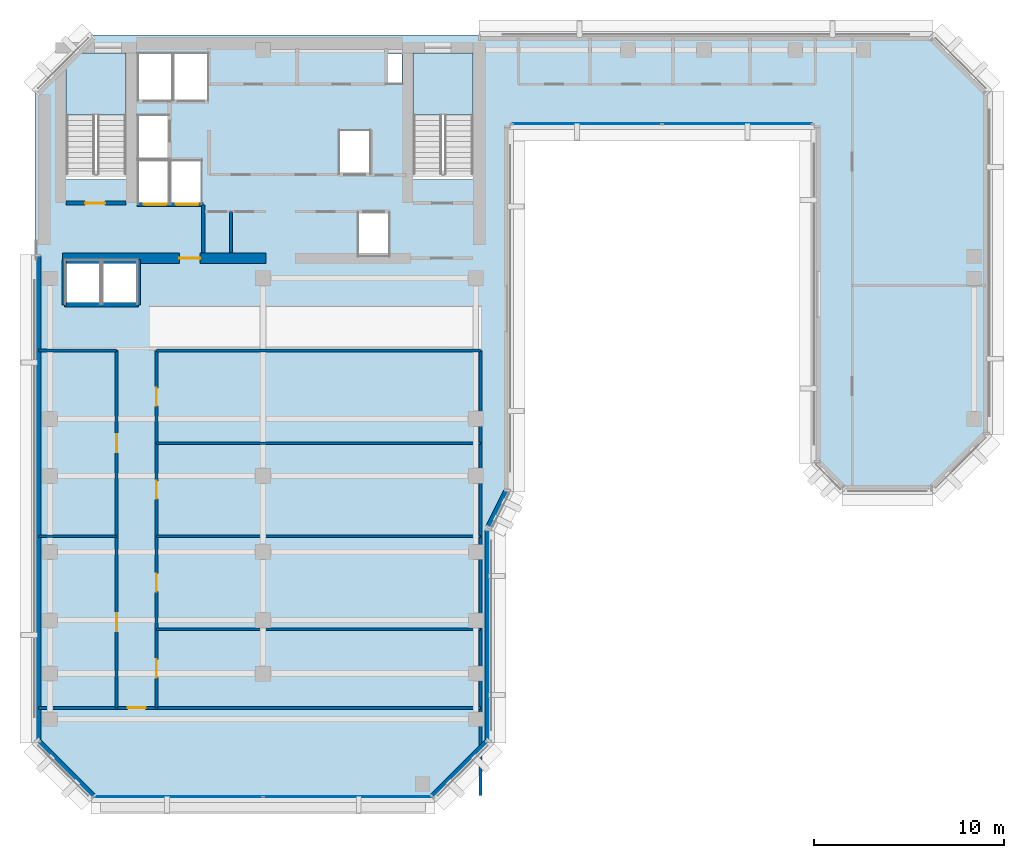
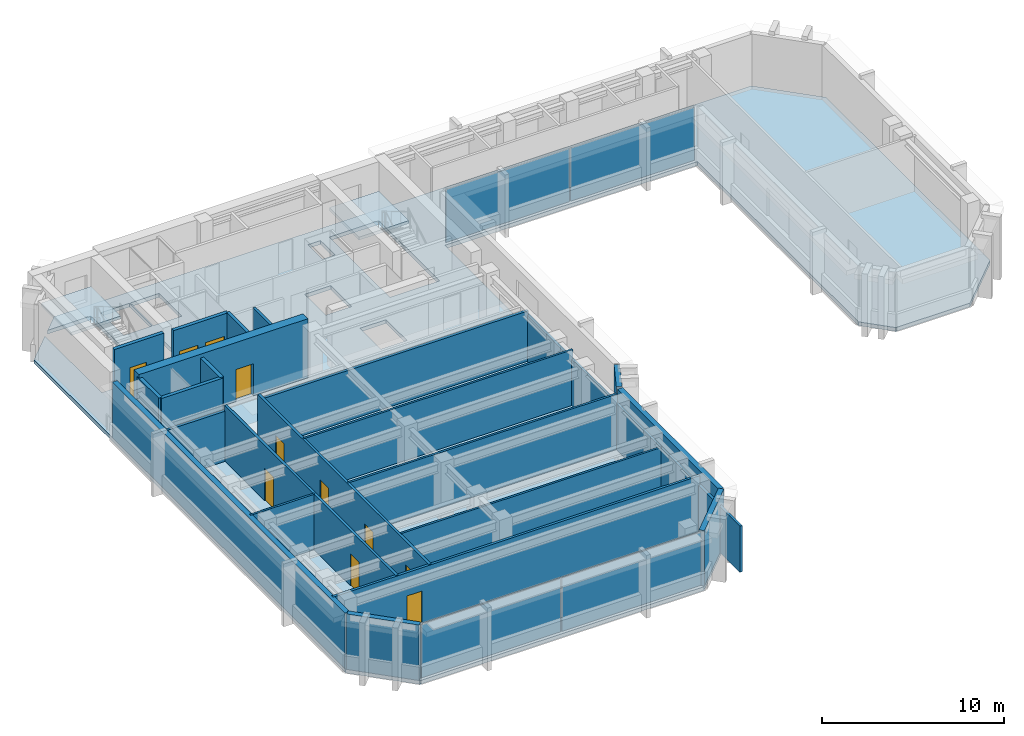
# One storey, part 5 of 11: 23 walls, 11 doors, 4 plates, 3 slabs, 11 openings, 4 elements without a shape of their own.
"""IFC4 building model written with IfcOpenShell, lengths in metres."""

from ifc_helpers import new_model, si_unit, direction, frame, frame_2d, origin, origin_2d, place, context, subcontext, project, spatial, polyline, rectangle, outline, extrude, material, layer, layer_set, type_object, element, fill, aggregate, save


model = new_model("IFC4")

# Units and contexts
model_context = context("Model", 3, precision=1e-05, world=origin(), true_north=direction((0.0, 1.0)))
body_context = subcontext(model_context, "Body", "Model", "MODEL_VIEW")
ifc_project = project(units=[si_unit("LENGTHUNIT", "METRE"), si_unit("AREAUNIT", "SQUARE_METRE"), si_unit("VOLUMEUNIT", "CUBIC_METRE"), si_unit("PLANEANGLEUNIT", "RADIAN"), si_unit("MASSUNIT", "GRAM", prefix="KILO")], contexts=[model_context])

# Site, building, storey
site_placement = place(None, origin())
site = spatial("IfcSite", under=ifc_project, at=site_placement, CompositionType="ELEMENT")
building_placement = place(site_placement, origin())
building = spatial("IfcBuilding", under=site, at=building_placement, Name="Kefirva Bronze Tower", CompositionType="ELEMENT")
storey_placement = place(building_placement, frame((0.0, 0.0, 231.659912109375)))
storey = spatial("IfcBuildingStorey", under=building, at=storey_placement, Name="L56", CompositionType="ELEMENT", Elevation=231.659912109375)

# Stair, slab
ifc_material_1 = material(Name="Concrete C40/50", Category="concrete")
stair_type = type_object("IfcStairType", Name="RC Dogleg Protected Stair 24R", PredefinedType="HALF_TURN_STAIR", material=ifc_material_1)
stair_1_placement = place(storey_placement, origin())
stair_1 = element("IfcStair", 1, at=stair_1_placement, inside=storey, type_object=stair_type, Name="L56 Protected Exit Stair 1", PredefinedType="HALF_TURN_STAIR")
ifc_layer_1 = layer(ifc_material_1, 0.199951171875, Name="Concrete C40/50")
ifc_layer_set_1 = layer_set([ifc_layer_1], Name="Concrete C40/50")
slab_type_1 = type_object("IfcSlabType", Name="RC Stair Landing Slab 200mm", PredefinedType="LANDING", material=ifc_layer_set_1)
slab_1_placement = place(storey_placement, frame((0.0, 0.0, 1.780029296875)))
slab_1 = element("IfcSlab", 2, at=slab_1_placement, type_object=slab_type_1, Name="ST-1 landing 1", PredefinedType="LANDING", context=body_context, shape_type="SweptSolid", body=[
    extrude(outline(polyline([(4.800048828125, 41.780029296875), (4.800048828125, 45.050048828125), (1.64990234375, 45.050048828125), (1.64990234375, 41.780029296875), (4.800048828125, 41.780029296875)])), origin(), (0.0, 0.0, 1.0), 0.199951171875),
])
aggregate(stair_1, [slab_1])

stair_2_placement = place(storey_placement, origin())
stair_2 = element("IfcStair", 3, at=stair_2_placement, inside=storey, type_object=stair_type, Name="L56 Protected Exit Stair 2", PredefinedType="HALF_TURN_STAIR")
slab_2_placement = place(storey_placement, frame((0.0, 0.0, 1.780029296875)))
slab_2 = element("IfcSlab", 4, at=slab_2_placement, type_object=slab_type_1, Name="ST-2 landing 1", PredefinedType="LANDING", context=body_context, shape_type="SweptSolid", body=[
    extrude(outline(polyline([(23.050048828125, 41.780029296875), (23.050048828125, 45.050048828125), (19.89990234375, 45.050048828125), (19.89990234375, 41.780029296875), (23.050048828125, 41.780029296875)])), origin(), (0.0, 0.0, 1.0), 0.199951171875),
])
aggregate(stair_2, [slab_2])

# Slab
ifc_layer_2 = layer(ifc_material_1, 0.25, Name="Concrete C40/50")
ifc_layer_set_2 = layer_set([ifc_layer_2], Name="Concrete C40/50")
slab_type_2 = type_object("IfcSlabType", Name="RC Tower Floor Slab 250mm", PredefinedType="FLOOR", material=ifc_layer_set_2)
slab_3_placement = place(storey_placement, frame((0.0, 0.0, -0.25)))
element("IfcSlab", 5, at=slab_3_placement, inside=storey, type_object=slab_type_2, Name="L56 Structural Floor Slab", PredefinedType="FLOOR", context=body_context, shape_type="SweptSolid", body=[
    extrude(outline(polyline([(0.0, 8.800048828125), (0.0, 43.0), (1.64990234375, 44.64990234375), (1.64990234375, 38.39990234375), (4.800048828125, 38.39990234375), (4.800048828125, 45.050048828125), (2.050048828125, 45.050048828125), (3.0, 46.0), (47.199951171875, 46.0), (50.199951171875, 43.0), (50.199951171875, 25.0), (47.199951171875, 22.0), (42.5, 22.0), (41.0, 23.5), (41.0, 41.199951171875), (25.0, 41.199951171875), (25.0, 22.0), (24.0, 20.0), (24.0, 8.800048828125), (21.0, 5.800048828125), (3.0, 5.800048828125), (0.0, 8.800048828125)]), holes=[polyline([(23.050048828125, 45.050048828125), (19.89990234375, 45.050048828125), (19.89990234375, 38.39990234375), (23.050048828125, 38.39990234375), (23.050048828125, 45.050048828125)]), polyline([(19.320068359375, 43.419921875), (19.320068359375, 45.0), (18.52001953125, 45.0), (18.52001953125, 43.419921875), (19.320068359375, 43.419921875)]), polyline([(18.64990234375, 36.64990234375), (17.0, 36.64990234375), (17.0, 34.35009765625), (18.64990234375, 34.35009765625), (18.64990234375, 36.64990234375)]), polyline([(17.64990234375, 38.679931640625), (17.64990234375, 40.97998046875), (16.0, 40.97998046875), (16.0, 38.679931640625), (17.64990234375, 38.679931640625)]), polyline([(9.1201171875, 42.550048828125), (9.1201171875, 45.050048828125), (7.300048828125, 45.050048828125), (7.300048828125, 42.550048828125), (9.1201171875, 42.550048828125)]), polyline([(8.780029296875, 37.10009765625), (8.780029296875, 39.39990234375), (7.139892578125, 39.39990234375), (7.139892578125, 37.10009765625), (8.780029296875, 37.10009765625)]), polyline([(7.239990234375, 42.550048828125), (7.239990234375, 45.050048828125), (5.419921875, 45.050048828125), (5.419921875, 42.550048828125), (7.239990234375, 42.550048828125)]), polyline([(7.06005859375, 37.10009765625), (7.06005859375, 39.39990234375), (5.419921875, 39.39990234375), (5.419921875, 37.10009765625), (7.06005859375, 37.10009765625)]), polyline([(7.06005859375, 41.780029296875), (5.419921875, 41.780029296875), (5.419921875, 39.47998046875), (7.06005859375, 39.47998046875), (7.06005859375, 41.780029296875)]), polyline([(5.39990234375, 31.85009765625), (5.39990234375, 34.14990234375), (3.550048828125, 34.14990234375), (3.550048828125, 31.85009765625), (5.39990234375, 31.85009765625)]), polyline([(3.449951171875, 34.14990234375), (1.60009765625, 34.14990234375), (1.60009765625, 31.85009765625), (3.449951171875, 31.85009765625), (3.449951171875, 34.14990234375)])]), origin(), (0.0, 0.0, 1.0), 0.25),
])

# Curtain wall, plates
ifc_material_2 = material(Name="Bronze anodised aluminium", Category="aluminium")
ifc_layer_3 = layer(ifc_material_2, 0.179931640625, Name="Bronze anodised aluminium")
ifc_layer_set_3 = layer_set([ifc_layer_3], Name="Bronze anodised aluminium")
curtain_wall_type = type_object("IfcCurtainWallType", Name="Unitised Bronze Ribbon Curtain Wall Zone 3", PredefinedType="USERDEFINED", material=ifc_layer_set_3)
curtain_wall_1_placement = place(storey_placement, origin())
curtain_wall_1 = element("IfcCurtainWall", 6, at=curtain_wall_1_placement, inside=storey, type_object=curtain_wall_type, Name="L56 Curtain Wall 1", ObjectType="UNITISED CURTAIN WALL", PredefinedType="USERDEFINED")
ifc_material_3 = material(Name="Laminated low-E double glazing", Category="glass")
ifc_layer_4 = layer(ifc_material_3, 0.031982421875, Name="Laminated low-E double glazing")
ifc_layer_set_4 = layer_set([ifc_layer_4], Name="Laminated low-E double glazing")
plate_type = type_object("IfcPlateType", Name="Solar-Control Low-E Vision Panel 32mm", PredefinedType="CURTAIN_PANEL", material=ifc_layer_set_4)
plate_1_placement = place(storey_placement, frame((7.546142578125, 5.919921875, 0.074951171875), z_axis=(0.0, 0.0, 1.0), x_axis=(1.0, 0.0, 0.0)))
plate_1 = element("IfcPlate", 7, at=plate_1_placement, type_object=plate_type, Name="CW-03 panel 1.1", PredefinedType="CURTAIN_PANEL", context=body_context, shape_type="SweptSolid", body=[
    extrude(rectangle(XDim=8.83251953125, YDim=0.031982421875, at=origin_2d()), origin(), (0.0, 0.0, 1.0), 3.56005859375),
])
plate_2_placement = place(storey_placement, frame((16.453857421875, 5.919921875, 0.074951171875), z_axis=(0.0, 0.0, 1.0), x_axis=(1.0, 0.0, 0.0)))
plate_2 = element("IfcPlate", 8, at=plate_2_placement, type_object=plate_type, Name="CW-03 panel 2.1", PredefinedType="CURTAIN_PANEL", context=body_context, shape_type="SweptSolid", body=[
    extrude(rectangle(XDim=8.83251953125, YDim=0.031982421875, at=origin_2d()), origin(), (0.0, 0.0, 1.0), 3.56005859375),
])
aggregate(curtain_wall_1, [plate_1, plate_2])

curtain_wall_2_placement = place(storey_placement, origin())
curtain_wall_2 = element("IfcCurtainWall", 9, at=curtain_wall_2_placement, inside=storey, type_object=curtain_wall_type, Name="L56 Curtain Wall 2", ObjectType="UNITISED CURTAIN WALL", PredefinedType="USERDEFINED")
plate_3_placement = place(storey_placement, frame((29.046142578125, 41.320068359375, 0.074951171875), z_axis=(0.0, 0.0, 1.0), x_axis=(1.0, 0.0, 0.0)))
plate_3 = element("IfcPlate", 10, at=plate_3_placement, type_object=plate_type, Name="CW-03 panel 1.1", PredefinedType="CURTAIN_PANEL", context=body_context, shape_type="SweptSolid", body=[
    extrude(rectangle(XDim=7.83251953125, YDim=0.031982421875, at=origin_2d()), origin(), (0.0, 0.0, 1.0), 3.56005859375),
])
plate_4_placement = place(storey_placement, frame((36.953857421875, 41.320068359375, 0.074951171875), z_axis=(0.0, 0.0, 1.0), x_axis=(1.0, 0.0, 0.0)))
plate_4 = element("IfcPlate", 11, at=plate_4_placement, type_object=plate_type, Name="CW-03 panel 2.1", PredefinedType="CURTAIN_PANEL", context=body_context, shape_type="SweptSolid", body=[
    extrude(rectangle(XDim=7.83251953125, YDim=0.031982421875, at=origin_2d()), origin(), (0.0, 0.0, 1.0), 3.56005859375),
])
aggregate(curtain_wall_2, [plate_3, plate_4])

# Walls
ifc_material_4 = material(Name="Gypsum acoustic partition")
ifc_layer_5 = layer(ifc_material_4, 0.1298828125, Name="Gypsum acoustic partition")
ifc_layer_set_5 = layer_set([ifc_layer_5], Name="Gypsum acoustic partition")
wall_type_1 = type_object("IfcWallType", Name="Acoustic Office Partition 130mm", PredefinedType="PARTITIONING", material=ifc_layer_set_5)
wall_1_placement = place(storey_placement, frame((0.18994140625, 19.6240234375, 0.0), z_axis=(0.0, 0.0, 1.0), x_axis=(1.0, 0.0, 0.0)))
element("IfcWall", 12, at=wall_1_placement, inside=storey, type_object=wall_type_1, Name="L56 Partition W-L56-SWD1", PredefinedType="PARTITIONING", context=body_context, shape_type="SweptSolid", body=[
    extrude(rectangle(XDim=4.110107421875, YDim=0.1298828125, at=frame_2d((2.05517578125, 0.0))), origin(), (0.0, 0.0, 1.0), 3.710205078125),
])
wall_2_placement = place(storey_placement, frame((6.39990234375, 14.736083984375, 0.0), z_axis=(0.0, 0.0, 1.0), x_axis=(1.0, 0.0, 0.0)))
element("IfcWall", 13, at=wall_2_placement, inside=storey, type_object=wall_type_1, Name="L56 Partition W-L56-SED1", PredefinedType="PARTITIONING", context=body_context, shape_type="SweptSolid", body=[
    extrude(rectangle(XDim=17.050048828125, YDim=0.1298828125, at=frame_2d((8.52490234375, 0.0))), origin(), (0.0, 0.0, 1.0), 3.094970703125),
])
for number, where, z_axis, x_axis, name in (
    (14, (6.39990234375, 19.6240234375, 0.0), (0.0, 0.0, 1.0), (1.0, 0.0, 0.0), "L56 Partition W-L56-SED2"),
    (15, (6.39990234375, 24.511962890625, 0.0), (0.0, 0.0, 1.0), (1.0, 0.0, 0.0), "L56 Partition W-L56-SED3"),
):
    element("IfcWall", number, at=place(storey_placement, frame(where, z_axis=z_axis, x_axis=x_axis)), inside=storey, type_object=wall_type_1, Name=name, PredefinedType="PARTITIONING", context=body_context, shape_type="SweptSolid", body=[
        extrude(rectangle(XDim=17.050048828125, YDim=0.1298828125, at=frame_2d((8.52490234375, 0.0))), origin(), (0.0, 0.0, 1.0), 3.710205078125),
    ])

# Wall, opening, door
ifc_material_5 = material(Name="Gypsum fireboard shaftwall")
ifc_layer_6 = layer(ifc_material_5, 0.219970703125, Name="Gypsum fireboard shaftwall")
ifc_layer_set_6 = layer_set([ifc_layer_6], Name="Gypsum fireboard shaftwall")
wall_type_2 = type_object("IfcWallType", Name="Fire-Rated Shaft Enclosure Wall 220mm", PredefinedType="PARTITIONING", material=ifc_layer_set_6)
wall_3_placement = place(storey_placement, frame((1.64990234375, 37.14990234375, 0.0), z_axis=(0.0, 0.0, 1.0), x_axis=(1.0, 0.0, 0.0)))
wall_3 = element("IfcWall", 16, at=wall_3_placement, inside=storey, type_object=wall_type_2, Name="L56 Partition W-L56-ST1S", PredefinedType="PARTITIONING", context=body_context, shape_type="SweptSolid", body=[
    extrude(rectangle(XDim=3.150146484375, YDim=0.219970703125, at=frame_2d((1.5751953125, 0.0))), origin(), (0.0, 0.0, 1.0), 3.710205078125),
])
opening_1_placement = place(wall_3_placement, frame((2.050048828125, 0.0, 0.0), z_axis=(0.0, 0.0, 1.0), x_axis=(-1.0, 0.0, 0.0)))
opening_1 = element("IfcOpeningElement", 17, at=opening_1_placement, cuts=wall_3, Name="Opening L56-D001", PredefinedType="OPENING", context=body_context, shape_type="SweptSolid", body=[
    extrude(rectangle(XDim=1.050048828125, YDim=2.14990234375, at=frame_2d((0.52490234375, 1.074951171875))), frame((0.0, 0.1201171875, 0.0), z_axis=(0.0, -1.0, 0.0), x_axis=(1.0, 0.0, 0.0)), (0.0, 0.0, 1.0), 0.239990234375),
])
ifc_material_6 = material(Name="Painted galvanized steel", Category="steel")
door_type_1 = type_object("IfcDoorType", Name="Fire Stair Enclosure Door 1050x2150 FD90S", OperationType="NOTDEFINED", PredefinedType="DOOR", material=ifc_material_6)
door_1_placement = place(opening_1_placement, origin())
door_1 = element("IfcDoor", 18, at=door_1_placement, inside=storey, type_object=door_type_1, Name="Door L56-D001", OperationType="SINGLE_SWING_RIGHT", OverallHeight=2.14990234375, OverallWidth=1.050048828125, PredefinedType="DOOR", context=body_context, shape_type="SweptSolid", body=[
    extrude(rectangle(XDim=1.050048828125, YDim=2.14990234375, at=frame_2d((0.52490234375, 1.074951171875))), frame((0.0, 0.02490234375, 0.0), z_axis=(0.0, -1.0, 0.0), x_axis=(1.0, 0.0, 0.0)), (0.0, 0.0, 1.0), 0.050048828125),
])
fill(opening_1, door_1)

# Wall, openings, doors
wall_4_placement = place(storey_placement, frame((5.3798828125, 37.080078125, 0.0), z_axis=(0.0, 0.0, 1.0), x_axis=(1.0, 0.0, 0.0)))
wall_4 = element("IfcWall", 19, at=wall_4_placement, inside=storey, type_object=wall_type_2, Name="L56 Partition W-L56-FFS", PredefinedType="PARTITIONING", context=body_context, shape_type="SweptSolid", body=[
    extrude(rectangle(XDim=3.460205078125, YDim=0.219970703125, at=frame_2d((1.72998046875, 0.0))), origin(), (0.0, 0.0, 1.0), 3.710205078125),
])
opening_2_placement = place(wall_4_placement, frame((1.550048828125, 0.0, 0.0), z_axis=(0.0, 0.0, 1.0), x_axis=(-1.0, 0.0, 0.0)))
opening_2 = element("IfcOpeningElement", 20, at=opening_2_placement, cuts=wall_4, Name="Opening L56-LD-FF1", PredefinedType="OPENING", context=body_context, shape_type="SweptSolid", body=[
    extrude(rectangle(XDim=1.199951171875, YDim=2.199951171875, at=frame_2d((0.60009765625, 1.10009765625))), frame((0.0, 0.1201171875, 0.0), z_axis=(0.0, -1.0, 0.0), x_axis=(1.0, 0.0, 0.0)), (0.0, 0.0, 1.0), 0.239990234375),
])
opening_3_placement = place(wall_4_placement, frame((3.219970703125, 0.0, 0.0), z_axis=(0.0, 0.0, 1.0), x_axis=(-1.0, 0.0, 0.0)))
opening_3 = element("IfcOpeningElement", 21, at=opening_3_placement, cuts=wall_4, Name="Opening L56-LD-FF2", PredefinedType="OPENING", context=body_context, shape_type="SweptSolid", body=[
    extrude(rectangle(XDim=1.199951171875, YDim=2.199951171875, at=frame_2d((0.60009765625, 1.10009765625))), frame((0.0, 0.1201171875, 0.0), z_axis=(0.0, -1.0, 0.0), x_axis=(1.0, 0.0, 0.0)), (0.0, 0.0, 1.0), 0.239990234375),
])
ifc_material_7 = material(Name="Stainless steel 316", Category="steel")
door_type_2 = type_object("IfcDoorType", Name="Firefighting Lift Sliding Door 1200x2200", OperationType="SLIDING_TO_RIGHT", PredefinedType="DOOR", material=ifc_material_7)
door_2_placement = place(opening_2_placement, origin())
door_2 = element("IfcDoor", 22, at=door_2_placement, inside=storey, type_object=door_type_2, Name="Door L56-LD-FF1", OperationType="SLIDING_TO_RIGHT", OverallHeight=2.199951171875, OverallWidth=1.199951171875, PredefinedType="DOOR", context=body_context, shape_type="SweptSolid", body=[
    extrude(rectangle(XDim=1.199951171875, YDim=2.199951171875, at=frame_2d((0.60009765625, 1.10009765625))), frame((0.0, 0.02490234375, 0.0), z_axis=(0.0, -1.0, 0.0), x_axis=(1.0, 0.0, 0.0)), (0.0, 0.0, 1.0), 0.050048828125),
])
fill(opening_2, door_2)
door_3_placement = place(opening_3_placement, origin())
door_3 = element("IfcDoor", 23, at=door_3_placement, inside=storey, type_object=door_type_2, Name="Door L56-LD-FF2", OperationType="SLIDING_TO_RIGHT", OverallHeight=2.199951171875, OverallWidth=1.199951171875, PredefinedType="DOOR", context=body_context, shape_type="SweptSolid", body=[
    extrude(rectangle(XDim=1.199951171875, YDim=2.199951171875, at=frame_2d((0.60009765625, 1.10009765625))), frame((0.0, 0.02490234375, 0.0), z_axis=(0.0, -1.0, 0.0), x_axis=(1.0, 0.0, 0.0)), (0.0, 0.0, 1.0), 0.050048828125),
])
fill(opening_3, door_3)

# Walls
wall_5_placement = place(storey_placement, frame((1.550048828125, 31.800048828125, 0.0), z_axis=(0.0, 0.0, 1.0), x_axis=(1.0, 0.0, 0.0)))
element("IfcWall", 24, at=wall_5_placement, inside=storey, type_object=wall_type_2, Name="L56 Partition W-L56-OBS", PredefinedType="PARTITIONING", context=body_context, shape_type="SweptSolid", body=[
    extrude(rectangle(XDim=3.89990234375, YDim=0.219970703125, at=frame_2d((1.949951171875, 0.0))), origin(), (0.0, 0.0, 1.0), 3.710205078125),
])
for number, where, z_axis, x_axis, name in (
    (25, (1.550048828125, 31.800048828125, 0.0), (0.0, 0.0, 1.0), (0.0, 1.0, 0.0), "L56 Partition W-L56-OBW"),
    (26, (5.449951171875, 31.800048828125, 0.0), (0.0, 0.0, 1.0), (0.0, 1.0, 0.0), "L56 Partition W-L56-OBE"),
):
    element("IfcWall", number, at=place(storey_placement, frame(where, z_axis=z_axis, x_axis=x_axis)), inside=storey, type_object=wall_type_2, Name=name, PredefinedType="PARTITIONING", context=body_context, shape_type="SweptSolid", body=[
        extrude(rectangle(XDim=2.3798828125, YDim=0.219970703125, at=frame_2d((1.18994140625, 0.0))), origin(), (0.0, 0.0, 1.0), 3.710205078125),
    ])
ifc_material_8 = material(Name="Gypsum fireboard barrier")
ifc_layer_7 = layer(ifc_material_8, 0.199951171875, Name="Gypsum fireboard barrier")
ifc_layer_set_7 = layer_set([ifc_layer_7], Name="Gypsum fireboard barrier")
wall_type_3 = type_object("IfcWallType", Name="Firefighting Lobby Barrier Wall 200mm", PredefinedType="PARTITIONING", material=ifc_layer_set_7)
wall_6_placement = place(storey_placement, frame((8.860107421875, 34.550048828125, 0.0), z_axis=(0.0, 0.0, 1.0), x_axis=(0.0, 1.0, 0.0)))
element("IfcWall", 27, at=wall_6_placement, inside=storey, type_object=wall_type_3, Name="L56 Partition W-L56-FFLE", PredefinedType="PARTITIONING", context=body_context, shape_type="SweptSolid", body=[
    extrude(rectangle(XDim=2.5, YDim=0.199951171875, at=frame_2d((1.25, 0.0))), origin(), (0.0, 0.0, 1.0), 3.710205078125),
])
ifc_material_9 = material(Name="Precast concrete C40/50", Category="concrete")
ifc_layer_8 = layer(ifc_material_9, 0.320068359375, Name="Precast concrete C40/50")
ifc_layer_set_8 = layer_set([ifc_layer_8], Name="Precast concrete C40/50")
wall_type_4 = type_object("IfcWallType", Name="Precast Insulated Exterior Wall 320mm", PredefinedType="SOLIDWALL", material=ifc_layer_set_8)
wall_7_placement = place(storey_placement, frame((20.92578125, 5.951904296875, 0.0), z_axis=(0.0, 0.0, 1.0), x_axis=(0.707077242712, 0.707136318428, 0.0)))
element("IfcWall", 28, at=wall_7_placement, inside=storey, type_object=wall_type_4, Name="L56 Exterior Facade Wall 1", PredefinedType="SOLIDWALL", context=body_context, shape_type="SweptSolid", body=[
    extrude(rectangle(XDim=4.132568359375, YDim=0.320068359375, at=frame_2d((2.06640625, 0.0))), origin(), (0.0, 0.0, 1.0), 3.710205078125),
])
wall_8_placement = place(storey_placement, frame((23.840087890625, 8.85498046875, 0.0), z_axis=(0.0, 0.0, 1.0), x_axis=(0.0, 1.0, 0.0)))
element("IfcWall", 29, at=wall_8_placement, inside=storey, type_object=wall_type_4, Name="L56 Exterior Facade Wall 2", PredefinedType="SOLIDWALL", context=body_context, shape_type="SweptSolid", body=[
    extrude(rectangle(XDim=11.090087890625, YDim=0.320068359375, at=frame_2d((5.544921875, 0.0))), origin(), (0.0, 0.0, 1.0), 3.710205078125),
])
wall_9_placement = place(storey_placement, frame((23.881591796875, 20.12060546875, 0.0), z_axis=(0.0, 0.0, 1.0), x_axis=(0.447121734542, 0.894473115583, 0.0)))
element("IfcWall", 30, at=wall_9_placement, inside=storey, type_object=wall_type_4, Name="L56 Exterior Facade Wall 3", PredefinedType="SOLIDWALL", context=body_context, shape_type="SweptSolid", body=[
    extrude(rectangle(XDim=2.126220703125, YDim=0.320068359375, at=frame_2d((1.06298828125, 0.0))), origin(), (0.0, 0.0, 1.0), 3.710205078125),
])
wall_10_placement = place(storey_placement, frame((0.159912109375, 34.39501953125, 0.0), z_axis=(0.0, 0.0, 1.0), x_axis=(0.0, -1.0, 0.0)))
element("IfcWall", 31, at=wall_10_placement, inside=storey, type_object=wall_type_4, Name="L56 Exterior Facade Wall 13", PredefinedType="SOLIDWALL", context=body_context, shape_type="SweptSolid", body=[
    extrude(rectangle(XDim=25.5400390625, YDim=0.320068359375, at=frame_2d((12.77001953125, 0.0))), origin(), (0.0, 0.0, 1.0), 3.710205078125),
])
wall_11_placement = place(storey_placement, frame((0.152099609375, 8.874267578125, 0.0), z_axis=(0.0, 0.0, 1.0), x_axis=(0.707077242712, -0.707136318428, 0.0)))
element("IfcWall", 32, at=wall_11_placement, inside=storey, type_object=wall_type_4, Name="L56 Exterior Facade Wall 14", PredefinedType="SOLIDWALL", context=body_context, shape_type="SweptSolid", body=[
    extrude(rectangle(XDim=4.132568359375, YDim=0.320068359375, at=frame_2d((2.06640625, 0.0))), origin(), (0.0, 0.0, 1.0), 3.710205078125),
])
ifc_layer_9 = layer(ifc_material_4, 0.159912109375, Name="Gypsum acoustic partition")
ifc_layer_set_9 = layer_set([ifc_layer_9], Name="Gypsum acoustic partition")
wall_type_5 = type_object("IfcWallType", Name="Protected Corridor Partition 160mm", PredefinedType="PARTITIONING", material=ifc_layer_set_9)
wall_12_placement = place(storey_placement, frame((10.320068359375, 34.550048828125, 0.0), z_axis=(0.0, 0.0, 1.0), x_axis=(0.0, 1.0, 0.0)))
element("IfcWall", 33, at=wall_12_placement, inside=storey, type_object=wall_type_5, Name="L56 Partition W-L56-RECLP1D", PredefinedType="PARTITIONING", context=body_context, shape_type="SweptSolid", body=[
    extrude(rectangle(XDim=2.14990234375, YDim=0.159912109375, at=frame_2d((1.074951171875, 0.0))), origin(), (0.0, 0.0, 1.0), 3.710205078125),
])

# Wall, openings, doors
wall_13_placement = place(storey_placement, frame((4.300048828125, 10.60009765625, 0.0), z_axis=(0.0, 0.0, 1.0), x_axis=(0.0, 1.0, 0.0)))
wall_13 = element("IfcWall", 34, at=wall_13_placement, inside=storey, type_object=wall_type_5, Name="L56 Partition W-L56-SWCORW", PredefinedType="PARTITIONING", context=body_context, shape_type="SweptSolid", body=[
    extrude(rectangle(XDim=18.7998046875, YDim=0.159912109375, at=frame_2d((9.39990234375, 0.0))), origin(), (0.0, 0.0, 1.0), 3.710205078125),
])
opening_4_placement = place(wall_13_placement, frame((4.987060546875, 0.0, 0.0), z_axis=(0.0, 0.0, 1.0), x_axis=(-1.0, 0.0, 0.0)))
opening_4 = element("IfcOpeningElement", 35, at=opening_4_placement, cuts=wall_13, Name="Opening L56-D-SW1", PredefinedType="OPENING", context=body_context, shape_type="SweptSolid", body=[
    extrude(rectangle(XDim=0.949951171875, YDim=2.14990234375, at=frame_2d((0.47509765625, 1.074951171875))), frame((0.0, 0.08984375, 0.0), z_axis=(0.0, -1.0, 0.0), x_axis=(1.0, 0.0, 0.0)), (0.0, 0.0, 1.0), 0.179931640625),
])
opening_5_placement = place(wall_13_placement, frame((14.386962890625, 0.0, 0.0), z_axis=(0.0, 0.0, 1.0), x_axis=(-1.0, 0.0, 0.0)))
opening_5 = element("IfcOpeningElement", 36, at=opening_5_placement, cuts=wall_13, Name="Opening L56-D-SW2", PredefinedType="OPENING", context=body_context, shape_type="SweptSolid", body=[
    extrude(rectangle(XDim=0.949951171875, YDim=2.14990234375, at=frame_2d((0.47509765625, 1.074951171875))), frame((0.0, 0.08984375, 0.0), z_axis=(0.0, -1.0, 0.0), x_axis=(1.0, 0.0, 0.0)), (0.0, 0.0, 1.0), 0.179931640625),
])
ifc_material_10 = material(Name="Acoustic hardwood oak", Category="wood")
door_type_3 = type_object("IfcDoorType", Name="Office & Meeting Room Door 950x2150", OperationType="NOTDEFINED", PredefinedType="DOOR", material=ifc_material_10)
door_4_placement = place(opening_4_placement, origin())
door_4 = element("IfcDoor", 37, at=door_4_placement, inside=storey, type_object=door_type_3, Name="Door L56-D-SW1", OperationType="SINGLE_SWING_LEFT", OverallHeight=2.14990234375, OverallWidth=0.949951171875, PredefinedType="DOOR", context=body_context, shape_type="SweptSolid", body=[
    extrude(rectangle(XDim=0.949951171875, YDim=2.14990234375, at=frame_2d((0.47509765625, 1.074951171875))), frame((0.0, 0.02490234375, 0.0), z_axis=(0.0, -1.0, 0.0), x_axis=(1.0, 0.0, 0.0)), (0.0, 0.0, 1.0), 0.050048828125),
])
fill(opening_4, door_4)
door_5_placement = place(opening_5_placement, origin())
door_5 = element("IfcDoor", 38, at=door_5_placement, inside=storey, type_object=door_type_3, Name="Door L56-D-SW2", OperationType="SINGLE_SWING_RIGHT", OverallHeight=2.14990234375, OverallWidth=0.949951171875, PredefinedType="DOOR", context=body_context, shape_type="SweptSolid", body=[
    extrude(rectangle(XDim=0.949951171875, YDim=2.14990234375, at=frame_2d((0.47509765625, 1.074951171875))), frame((0.0, 0.02490234375, 0.0), z_axis=(0.0, -1.0, 0.0), x_axis=(1.0, 0.0, 0.0)), (0.0, 0.0, 1.0), 0.050048828125),
])
fill(opening_5, door_5)

wall_14_placement = place(storey_placement, frame((6.39990234375, 10.60009765625, 0.0), z_axis=(0.0, 0.0, 1.0), x_axis=(0.0, 1.0, 0.0)))
wall_14 = element("IfcWall", 39, at=wall_14_placement, inside=storey, type_object=wall_type_5, Name="L56 Partition W-L56-SECORE", PredefinedType="PARTITIONING", context=body_context, shape_type="SweptSolid", body=[
    extrude(rectangle(XDim=18.7998046875, YDim=0.159912109375, at=frame_2d((9.39990234375, 0.0))), origin(), (0.0, 0.0, 1.0), 3.710205078125),
])
opening_6_placement = place(wall_14_placement, frame((1.593017578125, 0.0, 0.0)))
opening_6 = element("IfcOpeningElement", 40, at=opening_6_placement, cuts=wall_14, Name="Opening L56-D-SE1", PredefinedType="OPENING", context=body_context, shape_type="SweptSolid", body=[
    extrude(rectangle(XDim=0.949951171875, YDim=2.14990234375, at=frame_2d((0.47509765625, 1.074951171875))), frame((0.0, 0.08984375, 0.0), z_axis=(0.0, -1.0, 0.0), x_axis=(1.0, 0.0, 0.0)), (0.0, 0.0, 1.0), 0.179931640625),
])
opening_7_placement = place(wall_14_placement, frame((6.10498046875, 0.0, 0.0)))
opening_7 = element("IfcOpeningElement", 41, at=opening_7_placement, cuts=wall_14, Name="Opening L56-D-SE2", PredefinedType="OPENING", context=body_context, shape_type="SweptSolid", body=[
    extrude(rectangle(XDim=0.949951171875, YDim=2.14990234375, at=frame_2d((0.47509765625, 1.074951171875))), frame((0.0, 0.08984375, 0.0), z_axis=(0.0, -1.0, 0.0), x_axis=(1.0, 0.0, 0.0)), (0.0, 0.0, 1.0), 0.179931640625),
])
opening_8_placement = place(wall_14_placement, frame((10.992919921875, 0.0, 0.0)))
opening_8 = element("IfcOpeningElement", 42, at=opening_8_placement, cuts=wall_14, Name="Opening L56-D-SE3", PredefinedType="OPENING", context=body_context, shape_type="SweptSolid", body=[
    extrude(rectangle(XDim=0.949951171875, YDim=2.14990234375, at=frame_2d((0.47509765625, 1.074951171875))), frame((0.0, 0.08984375, 0.0), z_axis=(0.0, -1.0, 0.0), x_axis=(1.0, 0.0, 0.0)), (0.0, 0.0, 1.0), 0.179931640625),
])
opening_9_placement = place(wall_14_placement, frame((15.881103515625, 0.0, 0.0)))
opening_9 = element("IfcOpeningElement", 43, at=opening_9_placement, cuts=wall_14, Name="Opening L56-D-SE4", PredefinedType="OPENING", context=body_context, shape_type="SweptSolid", body=[
    extrude(rectangle(XDim=0.949951171875, YDim=2.14990234375, at=frame_2d((0.47509765625, 1.074951171875))), frame((0.0, 0.08984375, 0.0), z_axis=(0.0, -1.0, 0.0), x_axis=(1.0, 0.0, 0.0)), (0.0, 0.0, 1.0), 0.179931640625),
])
door_6_placement = place(opening_6_placement, origin())
door_6 = element("IfcDoor", 44, at=door_6_placement, inside=storey, type_object=door_type_3, Name="Door L56-D-SE1", OperationType="SINGLE_SWING_LEFT", OverallHeight=2.14990234375, OverallWidth=0.949951171875, PredefinedType="DOOR", context=body_context, shape_type="SweptSolid", body=[
    extrude(rectangle(XDim=0.949951171875, YDim=2.14990234375, at=frame_2d((0.47509765625, 1.074951171875))), frame((0.0, 0.02490234375, 0.0), z_axis=(0.0, -1.0, 0.0), x_axis=(1.0, 0.0, 0.0)), (0.0, 0.0, 1.0), 0.050048828125),
])
fill(opening_6, door_6)
door_7_placement = place(opening_7_placement, origin())
door_7 = element("IfcDoor", 45, at=door_7_placement, inside=storey, type_object=door_type_3, Name="Door L56-D-SE2", OperationType="SINGLE_SWING_RIGHT", OverallHeight=2.14990234375, OverallWidth=0.949951171875, PredefinedType="DOOR", context=body_context, shape_type="SweptSolid", body=[
    extrude(rectangle(XDim=0.949951171875, YDim=2.14990234375, at=frame_2d((0.47509765625, 1.074951171875))), frame((0.0, 0.02490234375, 0.0), z_axis=(0.0, -1.0, 0.0), x_axis=(1.0, 0.0, 0.0)), (0.0, 0.0, 1.0), 0.050048828125),
])
fill(opening_7, door_7)
door_8_placement = place(opening_8_placement, origin())
door_8 = element("IfcDoor", 46, at=door_8_placement, inside=storey, type_object=door_type_3, Name="Door L56-D-SE3", OperationType="SINGLE_SWING_LEFT", OverallHeight=2.14990234375, OverallWidth=0.949951171875, PredefinedType="DOOR", context=body_context, shape_type="SweptSolid", body=[
    extrude(rectangle(XDim=0.949951171875, YDim=2.14990234375, at=frame_2d((0.47509765625, 1.074951171875))), frame((0.0, 0.02490234375, 0.0), z_axis=(0.0, -1.0, 0.0), x_axis=(1.0, 0.0, 0.0)), (0.0, 0.0, 1.0), 0.050048828125),
])
fill(opening_8, door_8)
door_9_placement = place(opening_9_placement, origin())
door_9 = element("IfcDoor", 47, at=door_9_placement, inside=storey, type_object=door_type_3, Name="Door L56-D-SE4", OperationType="SINGLE_SWING_RIGHT", OverallHeight=2.14990234375, OverallWidth=0.949951171875, PredefinedType="DOOR", context=body_context, shape_type="SweptSolid", body=[
    extrude(rectangle(XDim=0.949951171875, YDim=2.14990234375, at=frame_2d((0.47509765625, 1.074951171875))), frame((0.0, 0.02490234375, 0.0), z_axis=(0.0, -1.0, 0.0), x_axis=(1.0, 0.0, 0.0)), (0.0, 0.0, 1.0), 0.050048828125),
])
fill(opening_9, door_9)

# Wall, opening, door
wall_15_placement = place(storey_placement, frame((0.18994140625, 10.60009765625, 0.0), z_axis=(0.0, 0.0, 1.0), x_axis=(1.0, 0.0, 0.0)))
wall_15 = element("IfcWall", 48, at=wall_15_placement, inside=storey, type_object=wall_type_5, Name="L56 Partition W-L56-SBEND", PredefinedType="PARTITIONING", context=body_context, shape_type="SweptSolid", body=[
    extrude(rectangle(XDim=23.260009765625, YDim=0.159912109375, at=frame_2d((11.6298828125, 0.0))), origin(), (0.0, 0.0, 1.0), 3.710205078125),
])
opening_10_placement = place(wall_15_placement, frame((4.68994140625, 0.0, 0.0)))
opening_10 = element("IfcOpeningElement", 49, at=opening_10_placement, cuts=wall_15, Name="Opening L56-D-SEND1", PredefinedType="OPENING", context=body_context, shape_type="SweptSolid", body=[
    extrude(rectangle(XDim=0.949951171875, YDim=2.14990234375, at=frame_2d((0.47509765625, 1.074951171875))), frame((0.0, 0.08984375, 0.0), z_axis=(0.0, -1.0, 0.0), x_axis=(1.0, 0.0, 0.0)), (0.0, 0.0, 1.0), 0.179931640625),
])
door_10_placement = place(opening_10_placement, origin())
door_10 = element("IfcDoor", 50, at=door_10_placement, inside=storey, type_object=door_type_3, Name="Door L56-D-SEND1", OperationType="SINGLE_SWING_RIGHT", OverallHeight=2.14990234375, OverallWidth=0.949951171875, PredefinedType="DOOR", context=body_context, shape_type="SweptSolid", body=[
    extrude(rectangle(XDim=0.949951171875, YDim=2.14990234375, at=frame_2d((0.47509765625, 1.074951171875))), frame((0.0, 0.02490234375, 0.0), z_axis=(0.0, -1.0, 0.0), x_axis=(1.0, 0.0, 0.0)), (0.0, 0.0, 1.0), 0.050048828125),
])
fill(opening_10, door_10)

# Walls
wall_16_placement = place(storey_placement, frame((0.18994140625, 29.39990234375, 0.0), z_axis=(0.0, 0.0, 1.0), x_axis=(1.0, 0.0, 0.0)))
element("IfcWall", 51, at=wall_16_placement, inside=storey, type_object=wall_type_5, Name="L56 Partition W-L56-NWT", PredefinedType="PARTITIONING", context=body_context, shape_type="SweptSolid", body=[
    extrude(rectangle(XDim=4.110107421875, YDim=0.159912109375, at=frame_2d((2.05517578125, 0.0))), origin(), (0.0, 0.0, 1.0), 3.364990234375),
])
wall_17_placement = place(storey_placement, frame((6.39990234375, 29.39990234375, 0.0), z_axis=(0.0, 0.0, 1.0), x_axis=(1.0, 0.0, 0.0)))
element("IfcWall", 52, at=wall_17_placement, inside=storey, type_object=wall_type_5, Name="L56 Partition W-L56-NET", PredefinedType="PARTITIONING", context=body_context, shape_type="SweptSolid", body=[
    extrude(rectangle(XDim=17.050048828125, YDim=0.159912109375, at=frame_2d((8.52490234375, 0.0))), origin(), (0.0, 0.0, 1.0), 3.364990234375),
])
wall_18_placement = place(storey_placement, frame((23.449951171875, 5.989990234375, 0.0), z_axis=(0.0, 0.0, 1.0), x_axis=(0.0, 1.0, 0.0)))
element("IfcWall", 53, at=wall_18_placement, inside=storey, type_object=wall_type_5, Name="L56 Partition W-L56-SWEAST", PredefinedType="PARTITIONING", context=body_context, shape_type="SweptSolid", body=[
    extrude(rectangle(XDim=23.409912109375, YDim=0.159912109375, at=frame_2d((11.705078125, 0.0))), origin(), (0.0, 0.0, 1.0), 3.094970703125),
])

# Wall, opening, door
ifc_material_11 = material(Name="Concrete C50/60", Category="concrete")
ifc_layer_10 = layer(ifc_material_11, 0.64990234375, Name="Concrete C50/60")
ifc_layer_set_10 = layer_set([ifc_layer_10], Name="Concrete C50/60")
wall_type_6 = type_object("IfcWallType", Name="RC Rear Core Interior Wall 650mm", PredefinedType="SHEAR", material=ifc_layer_set_10)
wall_19_placement = place(storey_placement, frame((1.449951171875, 34.25, 0.0), z_axis=(0.0, 0.0, 1.0), x_axis=(1.0, 0.0, 0.0)))
wall_19 = element("IfcWall", 54, at=wall_19_placement, inside=storey, type_object=wall_type_6, Name="L56 Rear Core South-West Shear Wall", PredefinedType="SHEAR", context=body_context, shape_type="SweptSolid", body=[
    extrude(rectangle(XDim=10.7099609375, YDim=0.550048828125, at=frame_2d((5.35498046875, 0.0))), origin(), (0.0, 0.0, 1.0), 3.960205078125),
])
opening_11_placement = place(wall_19_placement, frame((7.25, 0.0, 0.0), z_axis=(0.0, 0.0, 1.0), x_axis=(-1.0, 0.0, 0.0)))
opening_11 = element("IfcOpeningElement", 55, at=opening_11_placement, cuts=wall_19, Name="Opening L56-D002", PredefinedType="OPENING", context=body_context, shape_type="SweptSolid", body=[
    extrude(rectangle(XDim=1.10009765625, YDim=2.14990234375, at=frame_2d((0.550048828125, 1.074951171875))), frame((0.0, 0.28515625, 0.0), z_axis=(0.0, -1.0, 0.0), x_axis=(1.0, 0.0, 0.0)), (0.0, 0.0, 1.0), 0.570068359375),
])
door_type_4 = type_object("IfcDoorType", Name="Firefighting Lobby Smoke Door 1100x2150 FD60S", OperationType="NOTDEFINED", PredefinedType="DOOR", material=ifc_material_6)
door_11_placement = place(opening_11_placement, origin())
door_11 = element("IfcDoor", 56, at=door_11_placement, inside=storey, type_object=door_type_4, Name="Door L56-D002", OperationType="SINGLE_SWING_LEFT", OverallHeight=2.14990234375, OverallWidth=1.10009765625, PredefinedType="DOOR", context=body_context, shape_type="SweptSolid", body=[
    extrude(rectangle(XDim=1.10009765625, YDim=2.14990234375, at=frame_2d((0.550048828125, 1.074951171875))), frame((0.0, 0.02490234375, 0.0), z_axis=(0.0, -1.0, 0.0), x_axis=(1.0, 0.0, 0.0)), (0.0, 0.0, 1.0), 0.050048828125),
])
fill(opening_11, door_11)

save(model, "model.ifc")
